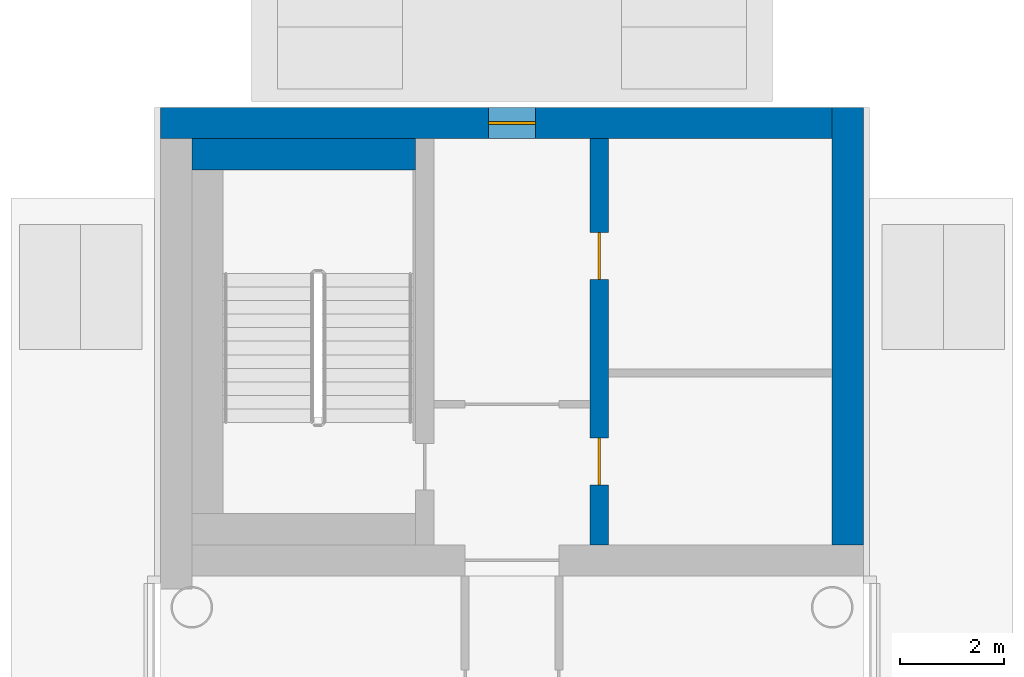
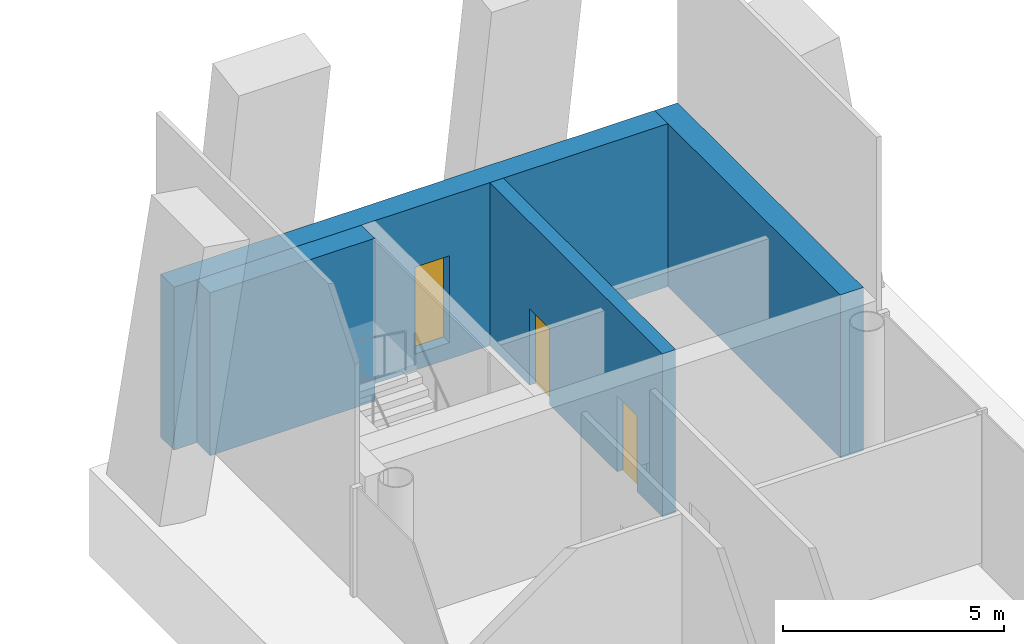
# One storey, part 7 of 12: 4 walls, 2 doors, 1 window, 3 openings.
"""IFC4 building model written with IfcOpenShell, lengths in metres."""

from ifc_helpers import new_model, si_unit, direction, frame, frame_2d, origin, place, context, subcontext, project, spatial, rectangle, extrude, material, layer, layer_set, type_object, element, fill, save


model = new_model("IFC4")

# Units and contexts
model_context = context("Model", 3, precision=1e-05, world=origin(), true_north=direction((0.0, 1.0)))
body_context = subcontext(model_context, "Body", "Model", "MODEL_VIEW")
ifc_project = project(units=[si_unit("LENGTHUNIT", "METRE"), si_unit("AREAUNIT", "SQUARE_METRE"), si_unit("VOLUMEUNIT", "CUBIC_METRE"), si_unit("PLANEANGLEUNIT", "RADIAN"), si_unit("MASSUNIT", "GRAM", prefix="KILO")], contexts=[model_context])

# Site, building, storey
site_placement = place(None, origin())
site = spatial("IfcSite", under=ifc_project, at=site_placement, CompositionType="ELEMENT")
building_placement = place(site_placement, origin())
building = spatial("IfcBuilding", under=site, at=building_placement, Name="Ipe Terrace Towers", CompositionType="ELEMENT")
storey_placement = place(building_placement, frame((0.0, 0.0, 255.89990234375)))
storey = spatial("IfcBuildingStorey", under=building, at=storey_placement, Name="L70", CompositionType="ELEMENT", Elevation=255.89990234375)

# Wall, openings, doors
ifc_material_1 = material(Name="Concrete C40/50", Category="concrete")
ifc_layer_1 = layer(ifc_material_1, 0.35009765625)
ifc_layer_set_1 = layer_set([ifc_layer_1], Name="RW350 CORE SPINE WALL 350 C40-50")
wall_type_1 = type_object("IfcWallType", Name="RW350 CORE SPINE WALL 350 C40-50", PredefinedType="SHEAR", material=ifc_layer_set_1)
wall_1_placement = place(storey_placement, frame((37.675048828125, 7.35009765625, 0.0), z_axis=(0.0, 0.0, 1.0), x_axis=(0.0, 1.0, 0.0)))
wall_1 = element("IfcWall", 1, at=wall_1_placement, inside=storey, type_object=wall_type_1, Name="Core spine wall T2-C1-Z4-SW2", PredefinedType="SHEAR", context=body_context, shape_type="SweptSolid", body=[
    extrude(rectangle(XDim=7.7998046875, YDim=0.35009765625, at=frame_2d((3.89990234375, 0.0))), origin(), (0.0, 0.0, 1.0), 4.5),
])
opening_1_placement = place(wall_1_placement, frame((1.14990234375, 0.0, 0.0)))
opening_1 = element("IfcOpeningElement", 2, at=opening_1_placement, cuts=wall_1, Name="Opening T2C1-R1", PredefinedType="OPENING", context=body_context, shape_type="SweptSolid", body=[
    extrude(rectangle(XDim=0.89990234375, YDim=2.10009765625, at=frame_2d((0.449951171875, 1.050048828125))), frame((0.0, 0.18505859375, 0.0), z_axis=(0.0, -1.0, 0.0), x_axis=(1.0, 0.0, 0.0)), (0.0, 0.0, 1.0), 0.3701171875),
])
opening_2_placement = place(wall_1_placement, frame((5.10009765625, 0.0, 0.0)))
opening_2 = element("IfcOpeningElement", 3, at=opening_2_placement, cuts=wall_1, Name="Opening T2C1-R2", PredefinedType="OPENING", context=body_context, shape_type="SweptSolid", body=[
    extrude(rectangle(XDim=0.89990234375, YDim=2.10009765625, at=frame_2d((0.449951171875, 1.050048828125))), frame((0.0, 0.18505859375, 0.0), z_axis=(0.0, -1.0, 0.0), x_axis=(1.0, 0.0, 0.0)), (0.0, 0.0, 1.0), 0.3701171875),
])
ifc_material_2 = material(Name="Fire-rated timber door leaf", Category="wood")
door_type = type_object("IfcDoorType", Name="Service door 900 x 2100 FD60", OperationType="NOTDEFINED", PredefinedType="DOOR", material=ifc_material_2)
door_1_placement = place(opening_1_placement, origin())
door_1 = element("IfcDoor", 4, at=door_1_placement, inside=storey, type_object=door_type, Name="Service door T2C1-R1", OperationType="SINGLE_SWING_RIGHT", OverallHeight=2.10009765625, OverallWidth=0.89990234375, PredefinedType="DOOR", context=body_context, shape_type="SweptSolid", body=[
    extrude(rectangle(XDim=0.89990234375, YDim=2.10009765625, at=frame_2d((0.449951171875, 1.050048828125))), frame((0.0, 0.02490234375, 0.0), z_axis=(0.0, -1.0, 0.0), x_axis=(1.0, 0.0, 0.0)), (0.0, 0.0, 1.0), 0.050048828125),
])
fill(opening_1, door_1)
door_2_placement = place(opening_2_placement, origin())
door_2 = element("IfcDoor", 5, at=door_2_placement, inside=storey, type_object=door_type, Name="Service door T2C1-R2", OperationType="SINGLE_SWING_LEFT", OverallHeight=2.10009765625, OverallWidth=0.89990234375, PredefinedType="DOOR", context=body_context, shape_type="SweptSolid", body=[
    extrude(rectangle(XDim=0.89990234375, YDim=2.10009765625, at=frame_2d((0.449951171875, 1.050048828125))), frame((0.0, 0.02490234375, 0.0), z_axis=(0.0, -1.0, 0.0), x_axis=(1.0, 0.0, 0.0)), (0.0, 0.0, 1.0), 0.050048828125),
])
fill(opening_2, door_2)

# Walls
ifc_material_3 = material(Name="Concrete C40/50", Category="concrete")
ifc_layer_2 = layer(ifc_material_3, 0.60009765625)
ifc_layer_set_2 = layer_set([ifc_layer_2], Name="RW600 CORE INFILL WALL 600 C40-50")
wall_type_2 = type_object("IfcWallType", Name="RW600 CORE INFILL WALL 600 C40-50", PredefinedType="SHEAR", material=ifc_layer_set_2)
wall_2_placement = place(storey_placement, frame((34.14990234375, 14.85009765625, 0.0), z_axis=(0.0, 0.0, 1.0), x_axis=(-1.0, 0.0, 0.0)))
element("IfcWall", 6, at=wall_2_placement, inside=storey, type_object=wall_type_2, Name="Core infill wall T2-C1-far", PredefinedType="SHEAR", context=body_context, shape_type="SweptSolid", body=[
    extrude(rectangle(XDim=4.2998046875, YDim=0.60009765625, at=frame_2d((2.14990234375, 0.0))), origin(), (0.0, 0.0, 1.0), 4.5),
])
ifc_material_4 = material(Name="Concrete C40/50", Category="concrete")
ifc_layer_3 = layer(ifc_material_4, 0.60009765625)
ifc_layer_set_3 = layer_set([ifc_layer_3], Name="RW600 CORE WALL 600 C40-50")
wall_type_3 = type_object("IfcWallType", Name="RW600 CORE WALL 600 C40-50", PredefinedType="SHEAR", material=ifc_layer_set_3)
wall_3_placement = place(storey_placement, frame((42.449951171875, 7.35009765625, 0.0), z_axis=(0.0, 0.0, 1.0), x_axis=(0.0, 1.0, 0.0)))
element("IfcWall", 7, at=wall_3_placement, inside=storey, type_object=wall_type_3, Name="Core wall T2-C1-Z4-W02", PredefinedType="SHEAR", context=body_context, shape_type="SweptSolid", body=[
    extrude(rectangle(XDim=8.39990234375, YDim=0.60009765625, at=frame_2d((4.199951171875, 0.0))), origin(), (0.0, 0.0, 1.0), 4.5),
])

# Wall, opening, window
wall_4_placement = place(storey_placement, frame((42.14990234375, 15.449951171875, 0.0), z_axis=(0.0, 0.0, 1.0), x_axis=(-1.0, 0.0, 0.0)))
wall_4 = element("IfcWall", 8, at=wall_4_placement, inside=storey, type_object=wall_type_3, Name="Core wall T2-C1-Z4-W03", PredefinedType="SHEAR", context=body_context, shape_type="SweptSolid", body=[
    extrude(rectangle(XDim=12.89990234375, YDim=0.60009765625, at=frame_2d((6.449951171875, 0.0))), origin(), (0.0, 0.0, 1.0), 4.5),
])
opening_3_placement = place(wall_4_placement, frame((5.699951171875, 0.0, 0.449951171875)))
opening_3 = element("IfcOpeningElement", 9, at=opening_3_placement, cuts=wall_4, Name="Opening T2-C1-W-01-L70", PredefinedType="OPENING", context=body_context, shape_type="SweptSolid", body=[
    extrude(rectangle(XDim=0.89990234375, YDim=2.39990234375, at=frame_2d((0.449951171875, 1.199951171875))), frame((0.0, 0.31005859375, 0.0), z_axis=(0.0, -1.0, 0.0), x_axis=(1.0, 0.0, 0.0)), (0.0, 0.0, 1.0), 0.6201171875),
])
ifc_material_5 = material(Name="Fire-resistant glazing EI 60", Category="glass")
window_type = type_object("IfcWindowType", Name="CORRIDOR END SLOT WINDOW 900 x 2400 EI 60", PartitioningType="SINGLE_PANEL", PredefinedType="WINDOW", material=ifc_material_5)
window_placement = place(opening_3_placement, origin())
window = element("IfcWindow", 10, at=window_placement, inside=storey, type_object=window_type, Name="W-01 window", OverallHeight=2.39990234375, OverallWidth=0.89990234375, PartitioningType="SINGLE_PANEL", PredefinedType="WINDOW", context=body_context, shape_type="SweptSolid", body=[
    extrude(rectangle(XDim=0.89990234375, YDim=2.39990234375, at=frame_2d((0.449951171875, 1.199951171875))), frame((0.0, 0.030029296875, 0.0), z_axis=(0.0, -1.0, 0.0), x_axis=(1.0, 0.0, 0.0)), (0.0, 0.0, 1.0), 0.06005859375),
])
fill(opening_3, window)

save(model, "model.ifc")
